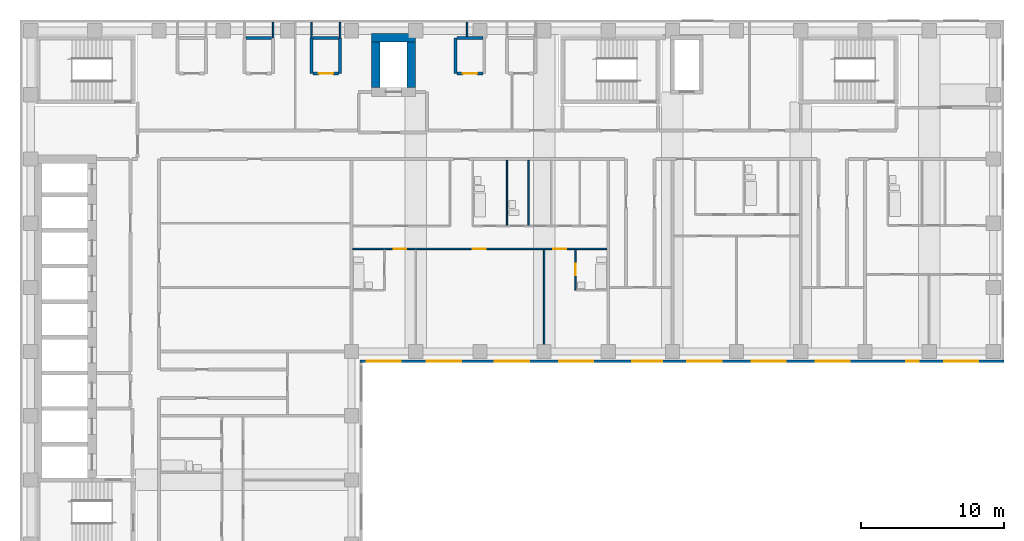
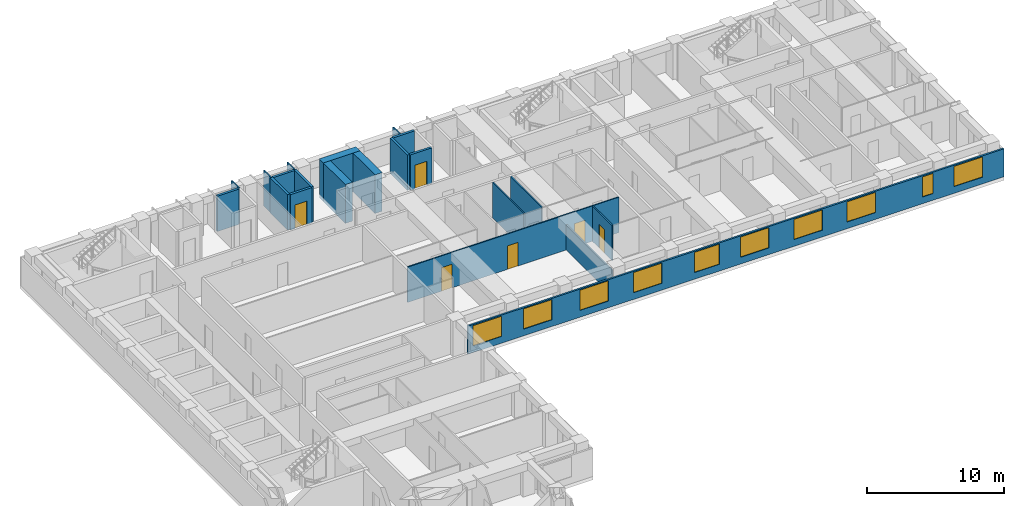
# One storey, part 6 of 12: 21 walls, 10 windows, 6 doors, 16 openings.
"""IFC4 building model written with IfcOpenShell, lengths in metres."""

from ifc_helpers import new_model, si_unit, direction, frame, frame_2d, origin, place, context, subcontext, project, spatial, rectangle, extrude, material, layer, layer_set, type_object, element, fill, save


model = new_model("IFC4")

# Units and contexts
model_context = context("Model", 3, precision=1e-05, world=origin(), true_north=direction((0.0, 1.0)))
body_context = subcontext(model_context, "Body", "Model", "MODEL_VIEW")
ifc_project = project(units=[si_unit("LENGTHUNIT", "METRE"), si_unit("AREAUNIT", "SQUARE_METRE"), si_unit("VOLUMEUNIT", "CUBIC_METRE"), si_unit("PLANEANGLEUNIT", "RADIAN"), si_unit("MASSUNIT", "GRAM", prefix="KILO")], contexts=[model_context])

# Site, building, storey
site_placement = place(None, origin())
site = spatial("IfcSite", under=ifc_project, at=site_placement, CompositionType="ELEMENT")
building_placement = place(site_placement, origin())
building = spatial("IfcBuilding", under=site, at=building_placement, Name="Firuza Court", CompositionType="ELEMENT")
storey_placement = place(building_placement, frame((0.0, 0.0, 170.0)))
storey = spatial("IfcBuildingStorey", under=building, at=storey_placement, Name="L43", CompositionType="ELEMENT", Elevation=170.0)

# Wall, opening, door
ifc_material_1 = material(Name="Moisture-resistant gypsum board partition")
ifc_layer_1 = layer(ifc_material_1, 0.10009765625)
ifc_layer_set_1 = layer_set([ifc_layer_1], Name="Moisture-resistant gypsum board partition")
wall_type_1 = type_object("IfcWallType", Name="Bathroom partition 100", PredefinedType="PLUMBINGWALL", material=ifc_layer_set_1)
wall_1_placement = place(storey_placement, frame((38.199951171875, 40.300048828125, 0.0), z_axis=(0.0, 0.0, 1.0), x_axis=(0.0, 1.0, 0.0)))
wall_1 = element("IfcWall", 1, at=wall_1_placement, inside=storey, type_object=wall_type_1, Name="Bathroom partition 100 L43", PredefinedType="PLUMBINGWALL", context=body_context, shape_type="SweptSolid", body=[
    extrude(rectangle(XDim=2.849853515625, YDim=0.10009765625, at=frame_2d((1.4248046875, 0.0))), origin(), (0.0, 0.0, 1.0), 3.14990234375),
])
opening_1_placement = place(wall_1_placement, frame((1.050048828125, 0.0, 0.0)))
opening_1 = element("IfcOpeningElement", 2, at=opening_1_placement, cuts=wall_1, Name="Opening D43041", PredefinedType="OPENING", context=body_context, shape_type="SweptSolid", body=[
    extrude(rectangle(XDim=0.800048828125, YDim=2.10009765625, at=frame_2d((0.39990234375, 1.050048828125))), frame((0.0, 0.06201171875, 0.0), z_axis=(0.0, -1.0, 0.0), x_axis=(1.0, 0.0, 0.0)), (0.0, 0.0, 1.0), 0.1240234375),
])
ifc_material_2 = material(Name="Timber door leaf in hardwood frame", Category="wood")
door_type_1 = type_object("IfcDoorType", Name="Bathroom door 800", OperationType="SINGLE_SWING_LEFT", PredefinedType="DOOR", material=ifc_material_2)
door_1_placement = place(opening_1_placement, frame((0.800048828125, 0.0, 0.0), z_axis=(0.0, 0.0, 1.0), x_axis=(-1.0, 0.0, 0.0)))
door_1 = element("IfcDoor", 3, at=door_1_placement, inside=storey, type_object=door_type_1, Name="En-suite door", OperationType="SINGLE_SWING_RIGHT", OverallHeight=2.10009765625, OverallWidth=0.800048828125, PredefinedType="DOOR", context=body_context, shape_type="SweptSolid", body=[
    extrude(rectangle(XDim=0.800048828125, YDim=2.10009765625, at=frame_2d((0.39990234375, 1.050048828125))), frame((0.0, 0.02490234375, 0.0), z_axis=(0.0, -1.0, 0.0), x_axis=(1.0, 0.0, 0.0)), (0.0, 0.0, 1.0), 0.050048828125),
])
fill(opening_1, door_1)

# Walls
for number, where, z_axis, x_axis, name in (
    (4, (33.39990234375, 44.85009765625, 0.0), (0.0, 0.0, 1.0), (0.0, 1.0, 0.0), "Bathroom partition 100 L43"),
    (5, (34.89990234375, 44.85009765625, 0.0), (0.0, 0.0, 1.0), (0.0, 1.0, 0.0), "Bathroom partition 100 L43"),
):
    element("IfcWall", number, at=place(storey_placement, frame(where, z_axis=z_axis, x_axis=x_axis)), inside=storey, type_object=wall_type_1, Name=name, PredefinedType="PLUMBINGWALL", context=body_context, shape_type="SweptSolid", body=[
        extrude(rectangle(XDim=4.5498046875, YDim=0.10009765625, at=frame_2d((2.27490234375, 0.0))), origin(), (0.0, 0.0, 1.0), 3.14990234375),
    ])
ifc_material_3 = material(Name="Concrete C60/75", Category="concrete")
ifc_layer_2 = layer(ifc_material_3, 0.60009765625)
ifc_layer_set_2 = layer_set([ifc_layer_2], Name="Concrete C60/75")
wall_type_2 = type_object("IfcWallType", Name="Core wall 600 C60/75", PredefinedType="SHEAR", material=ifc_layer_set_2)
wall_2_placement = place(storey_placement, frame((23.89990234375, 58.0, -0.300048828125), z_axis=(0.0, 0.0, 1.0), x_axis=(1.0, 0.0, 0.0)))
element("IfcWall", 6, at=wall_2_placement, inside=storey, type_object=wall_type_2, Name="Core wall lift shaft L43", PredefinedType="SHEAR", context=body_context, shape_type="SweptSolid", body=[
    extrude(rectangle(XDim=3.10009765625, YDim=0.60009765625, at=frame_2d((1.550048828125, 0.0))), origin(), (0.0, 0.0, 1.0), 3.449951171875),
])
for number, where, z_axis, x_axis, name in (
    (7, (24.199951171875, 54.5, -0.300048828125), (0.0, 0.0, 1.0), (0.0, 1.0, 0.0), "Core wall lift shaft L43"),
    (8, (26.699951171875, 54.5, -0.300048828125), (0.0, 0.0, 1.0), (0.0, 1.0, 0.0), "Core wall lift shaft L43"),
):
    element("IfcWall", number, at=place(storey_placement, frame(where, z_axis=z_axis, x_axis=x_axis)), inside=storey, type_object=wall_type_2, Name=name, PredefinedType="SHEAR", context=body_context, shape_type="SweptSolid", body=[
        extrude(rectangle(XDim=3.199951171875, YDim=0.60009765625, at=frame_2d((1.60009765625, 0.0))), origin(), (0.0, 0.0, 1.0), 3.449951171875),
    ])
ifc_material_4 = material(Name="Timber stud partition, plasterboard both sides", Category="wood")
ifc_layer_3 = layer(ifc_material_4, 0.10009765625)
ifc_layer_set_3 = layer_set([ifc_layer_3], Name="Timber stud partition, plasterboard both sides")
wall_type_3 = type_object("IfcWallType", Name="Partition wall 100", PredefinedType="PARTITIONING", material=ifc_layer_set_3)
wall_3_placement = place(storey_placement, frame((36.0, 36.5, 0.0), z_axis=(0.0, 0.0, 1.0), x_axis=(0.0, 1.0, 0.0)))
element("IfcWall", 9, at=wall_3_placement, inside=storey, type_object=wall_type_3, Name="Partition wall 100 L43", PredefinedType="PARTITIONING", context=body_context, shape_type="SweptSolid", body=[
    extrude(rectangle(XDim=6.64990234375, YDim=0.10009765625, at=frame_2d((3.324951171875, 0.0))), origin(), (0.0, 0.0, 1.0), 2.25),
])

# Wall, openings, doors
wall_4_placement = place(storey_placement, frame((22.60009765625, 43.199951171875, 0.0), z_axis=(0.0, 0.0, 1.0), x_axis=(1.0, 0.0, 0.0)))
wall_4 = element("IfcWall", 10, at=wall_4_placement, inside=storey, type_object=wall_type_3, Name="Partition wall 100 L43", PredefinedType="PARTITIONING", context=body_context, shape_type="SweptSolid", body=[
    extrude(rectangle(XDim=17.7998046875, YDim=0.10009765625, at=frame_2d((8.89990234375, 0.0))), origin(), (0.0, 0.0, 1.0), 3.14990234375),
])
opening_2_placement = place(wall_4_placement, frame((2.85009765625, 0.0, 0.0)))
opening_2 = element("IfcOpeningElement", 11, at=opening_2_placement, cuts=wall_4, Name="Opening D43050", PredefinedType="OPENING", context=body_context, shape_type="SweptSolid", body=[
    extrude(rectangle(XDim=0.89990234375, YDim=2.10009765625, at=frame_2d((0.449951171875, 1.050048828125))), frame((0.0, 0.06201171875, 0.0), z_axis=(0.0, -1.0, 0.0), x_axis=(1.0, 0.0, 0.0)), (0.0, 0.0, 1.0), 0.1240234375),
])
opening_3_placement = place(wall_4_placement, frame((8.39990234375, 0.0, 0.0)))
opening_3 = element("IfcOpeningElement", 12, at=opening_3_placement, cuts=wall_4, Name="Opening D43051", PredefinedType="OPENING", context=body_context, shape_type="SweptSolid", body=[
    extrude(rectangle(XDim=0.89990234375, YDim=2.10009765625, at=frame_2d((0.449951171875, 1.050048828125))), frame((0.0, 0.06201171875, 0.0), z_axis=(0.0, -1.0, 0.0), x_axis=(1.0, 0.0, 0.0)), (0.0, 0.0, 1.0), 0.1240234375),
])
opening_4_placement = place(wall_4_placement, frame((14.050048828125, 0.0, 0.0)))
opening_4 = element("IfcOpeningElement", 13, at=opening_4_placement, cuts=wall_4, Name="Opening D43052", PredefinedType="OPENING", context=body_context, shape_type="SweptSolid", body=[
    extrude(rectangle(XDim=0.89990234375, YDim=2.10009765625, at=frame_2d((0.449951171875, 1.050048828125))), frame((0.0, 0.06201171875, 0.0), z_axis=(0.0, -1.0, 0.0), x_axis=(1.0, 0.0, 0.0)), (0.0, 0.0, 1.0), 0.1240234375),
])
ifc_material_5 = material(Name="Timber door leaf in hardwood frame", Category="wood")
door_type_2 = type_object("IfcDoorType", Name="Room door 900", OperationType="SINGLE_SWING_LEFT", PredefinedType="DOOR", material=ifc_material_5)
door_2_placement = place(opening_2_placement, frame((0.89990234375, 0.0, 0.0), z_axis=(0.0, 0.0, 1.0), x_axis=(-1.0, 0.0, 0.0)))
door_2 = element("IfcDoor", 14, at=door_2_placement, inside=storey, type_object=door_type_2, Name="Bedroom door", OperationType="SINGLE_SWING_RIGHT", OverallHeight=2.10009765625, OverallWidth=0.89990234375, PredefinedType="DOOR", context=body_context, shape_type="SweptSolid", body=[
    extrude(rectangle(XDim=0.89990234375, YDim=2.10009765625, at=frame_2d((0.449951171875, 1.050048828125))), frame((0.0, 0.02490234375, 0.0), z_axis=(0.0, -1.0, 0.0), x_axis=(1.0, 0.0, 0.0)), (0.0, 0.0, 1.0), 0.050048828125),
])
fill(opening_2, door_2)
door_3_placement = place(opening_3_placement, frame((0.89990234375, 0.0, 0.0), z_axis=(0.0, 0.0, 1.0), x_axis=(-1.0, 0.0, 0.0)))
door_3 = element("IfcDoor", 15, at=door_3_placement, inside=storey, type_object=door_type_2, Name="Living room door", OperationType="SINGLE_SWING_RIGHT", OverallHeight=2.10009765625, OverallWidth=0.89990234375, PredefinedType="DOOR", context=body_context, shape_type="SweptSolid", body=[
    extrude(rectangle(XDim=0.89990234375, YDim=2.10009765625, at=frame_2d((0.449951171875, 1.050048828125))), frame((0.0, 0.02490234375, 0.0), z_axis=(0.0, -1.0, 0.0), x_axis=(1.0, 0.0, 0.0)), (0.0, 0.0, 1.0), 0.050048828125),
])
fill(opening_3, door_3)
door_4_placement = place(opening_4_placement, frame((0.89990234375, 0.0, 0.0), z_axis=(0.0, 0.0, 1.0), x_axis=(-1.0, 0.0, 0.0)))
door_4 = element("IfcDoor", 16, at=door_4_placement, inside=storey, type_object=door_type_2, Name="Bedroom door", OperationType="SINGLE_SWING_RIGHT", OverallHeight=2.10009765625, OverallWidth=0.89990234375, PredefinedType="DOOR", context=body_context, shape_type="SweptSolid", body=[
    extrude(rectangle(XDim=0.89990234375, YDim=2.10009765625, at=frame_2d((0.449951171875, 1.050048828125))), frame((0.0, 0.02490234375, 0.0), z_axis=(0.0, -1.0, 0.0), x_axis=(1.0, 0.0, 0.0)), (0.0, 0.0, 1.0), 0.050048828125),
])
fill(opening_4, door_4)

# Walls
for number, where, z_axis, x_axis, name in (
    (17, (17.0, 58.0, 0.0), (0.0, 0.0, 1.0), (0.0, 1.0, 0.0), "Partition wall 100 L43"),
    (18, (19.699951171875, 58.0, 0.0), (0.0, 0.0, 1.0), (0.0, 1.0, 0.0), "Partition wall 100 L43"),
    (19, (21.699951171875, 58.0, 0.0), (0.0, 0.0, 1.0), (0.0, 1.0, 0.0), "Partition wall 100 L43"),
):
    element("IfcWall", number, at=place(storey_placement, frame(where, z_axis=z_axis, x_axis=x_axis)), inside=storey, type_object=wall_type_3, Name=name, PredefinedType="PARTITIONING", context=body_context, shape_type="SweptSolid", body=[
        extrude(rectangle(XDim=1.10009765625, YDim=0.10009765625, at=frame_2d((0.550048828125, 0.0))), origin(), (0.0, 0.0, 1.0), 3.14990234375),
    ])
wall_5_placement = place(storey_placement, frame((30.60009765625, 58.10009765625, 0.0), z_axis=(0.0, 0.0, 1.0), x_axis=(0.0, 1.0, 0.0)))
element("IfcWall", 20, at=wall_5_placement, inside=storey, type_object=wall_type_3, Name="Partition wall 100 L43", PredefinedType="PARTITIONING", context=body_context, shape_type="SweptSolid", body=[
    extrude(rectangle(XDim=1.0, YDim=0.10009765625, at=frame_2d((0.5, 0.0))), origin(), (0.0, 0.0, 1.0), 3.14990234375),
])
ifc_material_6 = material(Name="Blockwork, fire-rated", Category="masonry")
ifc_layer_4 = layer(ifc_material_6, 0.199951171875)
ifc_layer_set_4 = layer_set([ifc_layer_4], Name="Blockwork, fire-rated")
wall_type_4 = type_object("IfcWallType", Name="Plant room wall 200", PredefinedType="PARTITIONING", material=ifc_layer_set_4)
wall_6_placement = place(storey_placement, frame((19.699951171875, 55.5, 0.0), z_axis=(0.0, 0.0, 1.0), x_axis=(0.0, 1.0, 0.0)))
element("IfcWall", 21, at=wall_6_placement, inside=storey, type_object=wall_type_4, Name="Plant room wall 200 L43", PredefinedType="PARTITIONING", context=body_context, shape_type="SweptSolid", body=[
    extrude(rectangle(XDim=2.5, YDim=0.199951171875, at=frame_2d((1.25, 0.0))), origin(), (0.0, 0.0, 1.0), 3.14990234375),
])

# Wall, opening, door
wall_7_placement = place(storey_placement, frame((19.800048828125, 55.5, 0.0), z_axis=(0.0, 0.0, 1.0), x_axis=(1.0, 0.0, 0.0)))
wall_7 = element("IfcWall", 22, at=wall_7_placement, inside=storey, type_object=wall_type_4, Name="Plant room wall 200 L43", PredefinedType="PARTITIONING", context=body_context, shape_type="SweptSolid", body=[
    extrude(rectangle(XDim=1.800048828125, YDim=0.199951171875, at=frame_2d((0.89990234375, 0.0))), origin(), (0.0, 0.0, 1.0), 3.14990234375),
])
opening_5_placement = place(wall_7_placement, frame((0.39990234375, 0.0, 0.0)))
opening_5 = element("IfcOpeningElement", 23, at=opening_5_placement, cuts=wall_7, Name="Opening D43080", PredefinedType="OPENING", context=body_context, shape_type="SweptSolid", body=[
    extrude(rectangle(XDim=1.0, YDim=2.10009765625, at=frame_2d((0.5, 1.050048828125))), frame((0.0, 0.11181640625, 0.0), z_axis=(0.0, -1.0, 0.0), x_axis=(1.0, 0.0, 0.0)), (0.0, 0.0, 1.0), 0.223876953125),
])
ifc_material_7 = material(Name="Timber door leaf in hardwood frame", Category="wood")
door_type_3 = type_object("IfcDoorType", Name="Riser door 1000", OperationType="SINGLE_SWING_LEFT", PredefinedType="DOOR", material=ifc_material_7)
door_5_placement = place(opening_5_placement, origin())
door_5 = element("IfcDoor", 24, at=door_5_placement, inside=storey, type_object=door_type_3, Name="Duct riser door", OperationType="SINGLE_SWING_LEFT", OverallHeight=2.10009765625, OverallWidth=1.0, PredefinedType="DOOR", context=body_context, shape_type="SweptSolid", body=[
    extrude(rectangle(XDim=1.0, YDim=2.10009765625, at=frame_2d((0.5, 1.050048828125))), frame((0.0, 0.02490234375, 0.0), z_axis=(0.0, -1.0, 0.0), x_axis=(1.0, 0.0, 0.0)), (0.0, 0.0, 1.0), 0.050048828125),
])
fill(opening_5, door_5)

# Walls
for number, where, z_axis, x_axis, name in (
    (25, (21.699951171875, 55.5, 0.0), (0.0, 0.0, 1.0), (0.0, 1.0, 0.0), "Plant room wall 200 L43"),
    (26, (29.800048828125, 55.5, 0.0), (0.0, 0.0, 1.0), (0.0, 1.0, 0.0), "Plant room wall 200 L43"),
):
    element("IfcWall", number, at=place(storey_placement, frame(where, z_axis=z_axis, x_axis=x_axis)), inside=storey, type_object=wall_type_4, Name=name, PredefinedType="PARTITIONING", context=body_context, shape_type="SweptSolid", body=[
        extrude(rectangle(XDim=2.5, YDim=0.199951171875, at=frame_2d((1.25, 0.0))), origin(), (0.0, 0.0, 1.0), 3.14990234375),
    ])

# Wall, opening, door
wall_8_placement = place(storey_placement, frame((29.89990234375, 55.5, 0.0), z_axis=(0.0, 0.0, 1.0), x_axis=(1.0, 0.0, 0.0)))
wall_8 = element("IfcWall", 27, at=wall_8_placement, inside=storey, type_object=wall_type_4, Name="Plant room wall 200 L43", PredefinedType="PARTITIONING", context=body_context, shape_type="SweptSolid", body=[
    extrude(rectangle(XDim=1.800048828125, YDim=0.199951171875, at=frame_2d((0.89990234375, 0.0))), origin(), (0.0, 0.0, 1.0), 3.14990234375),
])
opening_6_placement = place(wall_8_placement, frame((0.39990234375, 0.0, 0.0)))
opening_6 = element("IfcOpeningElement", 28, at=opening_6_placement, cuts=wall_8, Name="Opening D43081", PredefinedType="OPENING", context=body_context, shape_type="SweptSolid", body=[
    extrude(rectangle(XDim=1.0, YDim=2.10009765625, at=frame_2d((0.5, 1.050048828125))), frame((0.0, 0.11181640625, 0.0), z_axis=(0.0, -1.0, 0.0), x_axis=(1.0, 0.0, 0.0)), (0.0, 0.0, 1.0), 0.223876953125),
])
door_6_placement = place(opening_6_placement, origin())
door_6 = element("IfcDoor", 29, at=door_6_placement, inside=storey, type_object=door_type_3, Name="Electrical riser door", OperationType="SINGLE_SWING_LEFT", OverallHeight=2.10009765625, OverallWidth=1.0, PredefinedType="DOOR", context=body_context, shape_type="SweptSolid", body=[
    extrude(rectangle(XDim=1.0, YDim=2.10009765625, at=frame_2d((0.5, 1.050048828125))), frame((0.0, 0.02490234375, 0.0), z_axis=(0.0, -1.0, 0.0), x_axis=(1.0, 0.0, 0.0)), (0.0, 0.0, 1.0), 0.050048828125),
])
fill(opening_6, door_6)

# Walls
wall_9_placement = place(storey_placement, frame((15.10009765625, 58.0, 0.0), z_axis=(0.0, 0.0, 1.0), x_axis=(1.0, 0.0, 0.0)))
element("IfcWall", 30, at=wall_9_placement, inside=storey, type_object=wall_type_4, Name="Plant room wall 200 L43", PredefinedType="PARTITIONING", context=body_context, shape_type="SweptSolid", body=[
    extrude(rectangle(XDim=1.7998046875, YDim=0.199951171875, at=frame_2d((0.89990234375, 0.0))), origin(), (0.0, 0.0, 1.0), 3.14990234375),
])
for number, where, z_axis, x_axis, name in (
    (31, (19.800048828125, 58.0, 0.0), (0.0, 0.0, 1.0), (1.0, 0.0, 0.0), "Plant room wall 200 L43"),
    (32, (29.89990234375, 58.0, 0.0), (0.0, 0.0, 1.0), (1.0, 0.0, 0.0), "Plant room wall 200 L43"),
):
    element("IfcWall", number, at=place(storey_placement, frame(where, z_axis=z_axis, x_axis=x_axis)), inside=storey, type_object=wall_type_4, Name=name, PredefinedType="PARTITIONING", context=body_context, shape_type="SweptSolid", body=[
        extrude(rectangle(XDim=1.800048828125, YDim=0.199951171875, at=frame_2d((0.89990234375, 0.0))), origin(), (0.0, 0.0, 1.0), 3.14990234375),
    ])

# Wall, openings, windows
ifc_material_8 = material(Name="Ceramic tile", Category="ceramic")
ifc_layer_5 = layer(ifc_material_8, 0.02001953125)
ifc_material_9 = material(Name="Mineral wool insulation", Category="insulation")
ifc_layer_6 = layer(ifc_material_9, 0.050048828125)
ifc_material_10 = material(Name="Concrete C40/50 precast", Category="concrete")
ifc_layer_7 = layer(ifc_material_10, 0.080078125)
ifc_layer_set_5 = layer_set([ifc_layer_5, ifc_layer_6, ifc_layer_7], Name="Concrete C40/50 precast")
wall_type_5 = type_object("IfcWallType", Name="Precast cladding wall with turquoise TILE PANEL face 150", PredefinedType="STANDARD", material=ifc_layer_set_5)
wall_10_placement = place(storey_placement, frame((23.10009765625, 35.324951171875, 0.0), z_axis=(0.0, 0.0, 1.0), x_axis=(1.0, 0.0, 0.0)))
wall_10 = element("IfcWall", 33, at=wall_10_placement, inside=storey, type_object=wall_type_5, Name="Facade wall L43 S", PredefinedType="STANDARD", context=body_context, shape_type="SweptSolid", body=[
    extrude(rectangle(XDim=45.14990234375, YDim=0.14990234375, at=frame_2d((22.574951171875, 0.0))), origin(), (0.0, 0.0, 1.0), 2.5),
])
opening_7_placement = place(wall_10_placement, frame((0.449951171875, 0.0, 0.60009765625)))
opening_7 = element("IfcOpeningElement", 34, at=opening_7_placement, cuts=wall_10, Name="Opening W1", PredefinedType="OPENING", context=body_context, shape_type="SweptSolid", body=[
    extrude(rectangle(XDim=2.39990234375, YDim=1.800048828125, at=frame_2d((1.199951171875, 0.89990234375))), frame((0.0, 0.0869140625, 0.0), z_axis=(0.0, -1.0, 0.0), x_axis=(1.0, 0.0, 0.0)), (0.0, 0.0, 1.0), 0.173828125),
])
opening_8_placement = place(wall_10_placement, frame((4.683837890625, 0.0, 0.60009765625)))
opening_8 = element("IfcOpeningElement", 35, at=opening_8_placement, cuts=wall_10, Name="Opening W1", PredefinedType="OPENING", context=body_context, shape_type="SweptSolid", body=[
    extrude(rectangle(XDim=2.39990234375, YDim=1.800048828125, at=frame_2d((1.199951171875, 0.89990234375))), frame((0.0, 0.0869140625, 0.0), z_axis=(0.0, -1.0, 0.0), x_axis=(1.0, 0.0, 0.0)), (0.0, 0.0, 1.0), 0.173828125),
])
opening_9_placement = place(wall_10_placement, frame((9.449951171875, 0.0, 0.60009765625)))
opening_9 = element("IfcOpeningElement", 36, at=opening_9_placement, cuts=wall_10, Name="Opening W1", PredefinedType="OPENING", context=body_context, shape_type="SweptSolid", body=[
    extrude(rectangle(XDim=2.39990234375, YDim=1.800048828125, at=frame_2d((1.199951171875, 0.89990234375))), frame((0.0, 0.0869140625, 0.0), z_axis=(0.0, -1.0, 0.0), x_axis=(1.0, 0.0, 0.0)), (0.0, 0.0, 1.0), 0.173828125),
])
opening_10_placement = place(wall_10_placement, frame((13.949951171875, 0.0, 0.60009765625)))
opening_10 = element("IfcOpeningElement", 37, at=opening_10_placement, cuts=wall_10, Name="Opening W1", PredefinedType="OPENING", context=body_context, shape_type="SweptSolid", body=[
    extrude(rectangle(XDim=2.39990234375, YDim=1.800048828125, at=frame_2d((1.199951171875, 0.89990234375))), frame((0.0, 0.0869140625, 0.0), z_axis=(0.0, -1.0, 0.0), x_axis=(1.0, 0.0, 0.0)), (0.0, 0.0, 1.0), 0.173828125),
])
opening_11_placement = place(wall_10_placement, frame((19.076416015625, 0.0, 0.60009765625)))
opening_11 = element("IfcOpeningElement", 38, at=opening_11_placement, cuts=wall_10, Name="Opening W6", PredefinedType="OPENING", context=body_context, shape_type="SweptSolid", body=[
    extrude(rectangle(XDim=2.10009765625, YDim=1.800048828125, at=frame_2d((1.050048828125, 0.89990234375))), frame((0.0, 0.0869140625, 0.0), z_axis=(0.0, -1.0, 0.0), x_axis=(1.0, 0.0, 0.0)), (0.0, 0.0, 1.0), 0.173828125),
])
opening_12_placement = place(wall_10_placement, frame((22.949951171875, 0.0, 0.60009765625)))
opening_12 = element("IfcOpeningElement", 39, at=opening_12_placement, cuts=wall_10, Name="Opening W1", PredefinedType="OPENING", context=body_context, shape_type="SweptSolid", body=[
    extrude(rectangle(XDim=2.39990234375, YDim=1.800048828125, at=frame_2d((1.199951171875, 0.89990234375))), frame((0.0, 0.0869140625, 0.0), z_axis=(0.0, -1.0, 0.0), x_axis=(1.0, 0.0, 0.0)), (0.0, 0.0, 1.0), 0.173828125),
])
opening_13_placement = place(wall_10_placement, frame((27.449951171875, 0.0, 0.60009765625)))
opening_13 = element("IfcOpeningElement", 40, at=opening_13_placement, cuts=wall_10, Name="Opening W1", PredefinedType="OPENING", context=body_context, shape_type="SweptSolid", body=[
    extrude(rectangle(XDim=2.39990234375, YDim=1.800048828125, at=frame_2d((1.199951171875, 0.89990234375))), frame((0.0, 0.0869140625, 0.0), z_axis=(0.0, -1.0, 0.0), x_axis=(1.0, 0.0, 0.0)), (0.0, 0.0, 1.0), 0.173828125),
])
opening_14_placement = place(wall_10_placement, frame((31.949951171875, 0.0, 0.60009765625)))
opening_14 = element("IfcOpeningElement", 41, at=opening_14_placement, cuts=wall_10, Name="Opening W1", PredefinedType="OPENING", context=body_context, shape_type="SweptSolid", body=[
    extrude(rectangle(XDim=2.39990234375, YDim=1.800048828125, at=frame_2d((1.199951171875, 0.89990234375))), frame((0.0, 0.0869140625, 0.0), z_axis=(0.0, -1.0, 0.0), x_axis=(1.0, 0.0, 0.0)), (0.0, 0.0, 1.0), 0.173828125),
])
opening_15_placement = place(wall_10_placement, frame((38.284912109375, 0.0, 0.60009765625)))
opening_15 = element("IfcOpeningElement", 42, at=opening_15_placement, cuts=wall_10, Name="Opening W3", PredefinedType="OPENING", context=body_context, shape_type="SweptSolid", body=[
    extrude(rectangle(XDim=0.89990234375, YDim=1.800048828125, at=frame_2d((0.449951171875, 0.89990234375))), frame((0.0, 0.0869140625, 0.0), z_axis=(0.0, -1.0, 0.0), x_axis=(1.0, 0.0, 0.0)), (0.0, 0.0, 1.0), 0.173828125),
])
opening_16_placement = place(wall_10_placement, frame((40.949951171875, 0.0, 0.60009765625)))
opening_16 = element("IfcOpeningElement", 43, at=opening_16_placement, cuts=wall_10, Name="Opening W1", PredefinedType="OPENING", context=body_context, shape_type="SweptSolid", body=[
    extrude(rectangle(XDim=2.39990234375, YDim=1.800048828125, at=frame_2d((1.199951171875, 0.89990234375))), frame((0.0, 0.0869140625, 0.0), z_axis=(0.0, -1.0, 0.0), x_axis=(1.0, 0.0, 0.0)), (0.0, 0.0, 1.0), 0.173828125),
])
ifc_material_11 = material(Name="Aluminium frame, triple clear glazing", Category="aluminium")
window_type_1 = type_object("IfcWindowType", Name="Window W1 2400 x 1800", PartitioningType="SINGLE_PANEL", PredefinedType="WINDOW", material=ifc_material_11)
window_1_placement = place(opening_7_placement, origin())
window_1 = element("IfcWindow", 44, at=window_1_placement, inside=storey, type_object=window_type_1, Name="Window L43", OverallHeight=1.800048828125, OverallWidth=2.39990234375, PartitioningType="SINGLE_PANEL", PredefinedType="WINDOW", context=body_context, shape_type="SweptSolid", body=[
    extrude(rectangle(XDim=2.39990234375, YDim=1.800048828125, at=frame_2d((1.199951171875, 0.89990234375))), frame((0.0, 0.030029296875, 0.0), z_axis=(0.0, -1.0, 0.0), x_axis=(1.0, 0.0, 0.0)), (0.0, 0.0, 1.0), 0.06005859375),
])
fill(opening_7, window_1)
window_2_placement = place(opening_8_placement, origin())
window_2 = element("IfcWindow", 45, at=window_2_placement, inside=storey, type_object=window_type_1, Name="Window L43", OverallHeight=1.800048828125, OverallWidth=2.39990234375, PartitioningType="SINGLE_PANEL", PredefinedType="WINDOW", context=body_context, shape_type="SweptSolid", body=[
    extrude(rectangle(XDim=2.39990234375, YDim=1.800048828125, at=frame_2d((1.199951171875, 0.89990234375))), frame((0.0, 0.030029296875, 0.0), z_axis=(0.0, -1.0, 0.0), x_axis=(1.0, 0.0, 0.0)), (0.0, 0.0, 1.0), 0.06005859375),
])
fill(opening_8, window_2)
window_3_placement = place(opening_9_placement, origin())
window_3 = element("IfcWindow", 46, at=window_3_placement, inside=storey, type_object=window_type_1, Name="Window L43", OverallHeight=1.800048828125, OverallWidth=2.39990234375, PartitioningType="SINGLE_PANEL", PredefinedType="WINDOW", context=body_context, shape_type="SweptSolid", body=[
    extrude(rectangle(XDim=2.39990234375, YDim=1.800048828125, at=frame_2d((1.199951171875, 0.89990234375))), frame((0.0, 0.030029296875, 0.0), z_axis=(0.0, -1.0, 0.0), x_axis=(1.0, 0.0, 0.0)), (0.0, 0.0, 1.0), 0.06005859375),
])
fill(opening_9, window_3)
window_4_placement = place(opening_10_placement, origin())
window_4 = element("IfcWindow", 47, at=window_4_placement, inside=storey, type_object=window_type_1, Name="Window L43", OverallHeight=1.800048828125, OverallWidth=2.39990234375, PartitioningType="SINGLE_PANEL", PredefinedType="WINDOW", context=body_context, shape_type="SweptSolid", body=[
    extrude(rectangle(XDim=2.39990234375, YDim=1.800048828125, at=frame_2d((1.199951171875, 0.89990234375))), frame((0.0, 0.030029296875, 0.0), z_axis=(0.0, -1.0, 0.0), x_axis=(1.0, 0.0, 0.0)), (0.0, 0.0, 1.0), 0.06005859375),
])
fill(opening_10, window_4)
window_5_placement = place(opening_12_placement, origin())
window_5 = element("IfcWindow", 48, at=window_5_placement, inside=storey, type_object=window_type_1, Name="Window L43", OverallHeight=1.800048828125, OverallWidth=2.39990234375, PartitioningType="SINGLE_PANEL", PredefinedType="WINDOW", context=body_context, shape_type="SweptSolid", body=[
    extrude(rectangle(XDim=2.39990234375, YDim=1.800048828125, at=frame_2d((1.199951171875, 0.89990234375))), frame((0.0, 0.030029296875, 0.0), z_axis=(0.0, -1.0, 0.0), x_axis=(1.0, 0.0, 0.0)), (0.0, 0.0, 1.0), 0.06005859375),
])
fill(opening_12, window_5)
window_6_placement = place(opening_13_placement, origin())
window_6 = element("IfcWindow", 49, at=window_6_placement, inside=storey, type_object=window_type_1, Name="Window L43", OverallHeight=1.800048828125, OverallWidth=2.39990234375, PartitioningType="SINGLE_PANEL", PredefinedType="WINDOW", context=body_context, shape_type="SweptSolid", body=[
    extrude(rectangle(XDim=2.39990234375, YDim=1.800048828125, at=frame_2d((1.199951171875, 0.89990234375))), frame((0.0, 0.030029296875, 0.0), z_axis=(0.0, -1.0, 0.0), x_axis=(1.0, 0.0, 0.0)), (0.0, 0.0, 1.0), 0.06005859375),
])
fill(opening_13, window_6)
window_7_placement = place(opening_14_placement, origin())
window_7 = element("IfcWindow", 50, at=window_7_placement, inside=storey, type_object=window_type_1, Name="Window L43", OverallHeight=1.800048828125, OverallWidth=2.39990234375, PartitioningType="SINGLE_PANEL", PredefinedType="WINDOW", context=body_context, shape_type="SweptSolid", body=[
    extrude(rectangle(XDim=2.39990234375, YDim=1.800048828125, at=frame_2d((1.199951171875, 0.89990234375))), frame((0.0, 0.030029296875, 0.0), z_axis=(0.0, -1.0, 0.0), x_axis=(1.0, 0.0, 0.0)), (0.0, 0.0, 1.0), 0.06005859375),
])
fill(opening_14, window_7)
window_8_placement = place(opening_16_placement, origin())
window_8 = element("IfcWindow", 51, at=window_8_placement, inside=storey, type_object=window_type_1, Name="Window L43", OverallHeight=1.800048828125, OverallWidth=2.39990234375, PartitioningType="SINGLE_PANEL", PredefinedType="WINDOW", context=body_context, shape_type="SweptSolid", body=[
    extrude(rectangle(XDim=2.39990234375, YDim=1.800048828125, at=frame_2d((1.199951171875, 0.89990234375))), frame((0.0, 0.030029296875, 0.0), z_axis=(0.0, -1.0, 0.0), x_axis=(1.0, 0.0, 0.0)), (0.0, 0.0, 1.0), 0.06005859375),
])
fill(opening_16, window_8)
ifc_material_12 = material(Name="Aluminium frame, triple clear glazing", Category="aluminium")
window_type_2 = type_object("IfcWindowType", Name="Window W3 900 x 1800", PartitioningType="SINGLE_PANEL", PredefinedType="WINDOW", material=ifc_material_12)
window_9_placement = place(opening_15_placement, origin())
window_9 = element("IfcWindow", 52, at=window_9_placement, inside=storey, type_object=window_type_2, Name="Window L43", OverallHeight=1.800048828125, OverallWidth=0.89990234375, PartitioningType="SINGLE_PANEL", PredefinedType="WINDOW", context=body_context, shape_type="SweptSolid", body=[
    extrude(rectangle(XDim=0.89990234375, YDim=1.800048828125, at=frame_2d((0.449951171875, 0.89990234375))), frame((0.0, 0.030029296875, 0.0), z_axis=(0.0, -1.0, 0.0), x_axis=(1.0, 0.0, 0.0)), (0.0, 0.0, 1.0), 0.06005859375),
])
fill(opening_15, window_9)
ifc_material_13 = material(Name="Aluminium frame, triple clear glazing", Category="aluminium")
window_type_3 = type_object("IfcWindowType", Name="Window W6 2100 x 1800", PartitioningType="SINGLE_PANEL", PredefinedType="WINDOW", material=ifc_material_13)
window_10_placement = place(opening_11_placement, origin())
window_10 = element("IfcWindow", 53, at=window_10_placement, inside=storey, type_object=window_type_3, Name="Window L43", OverallHeight=1.800048828125, OverallWidth=2.10009765625, PartitioningType="SINGLE_PANEL", PredefinedType="WINDOW", context=body_context, shape_type="SweptSolid", body=[
    extrude(rectangle(XDim=2.10009765625, YDim=1.800048828125, at=frame_2d((1.050048828125, 0.89990234375))), frame((0.0, 0.030029296875, 0.0), z_axis=(0.0, -1.0, 0.0), x_axis=(1.0, 0.0, 0.0)), (0.0, 0.0, 1.0), 0.06005859375),
])
fill(opening_11, window_10)

save(model, "model.ifc")
